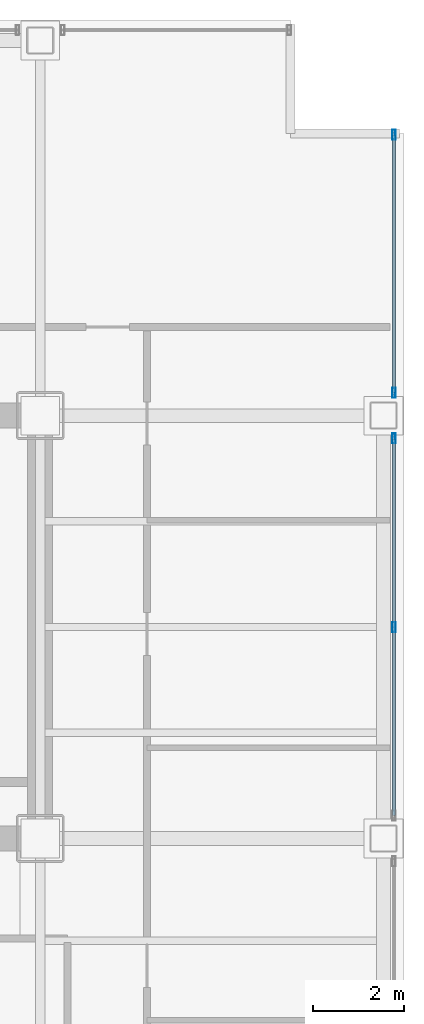
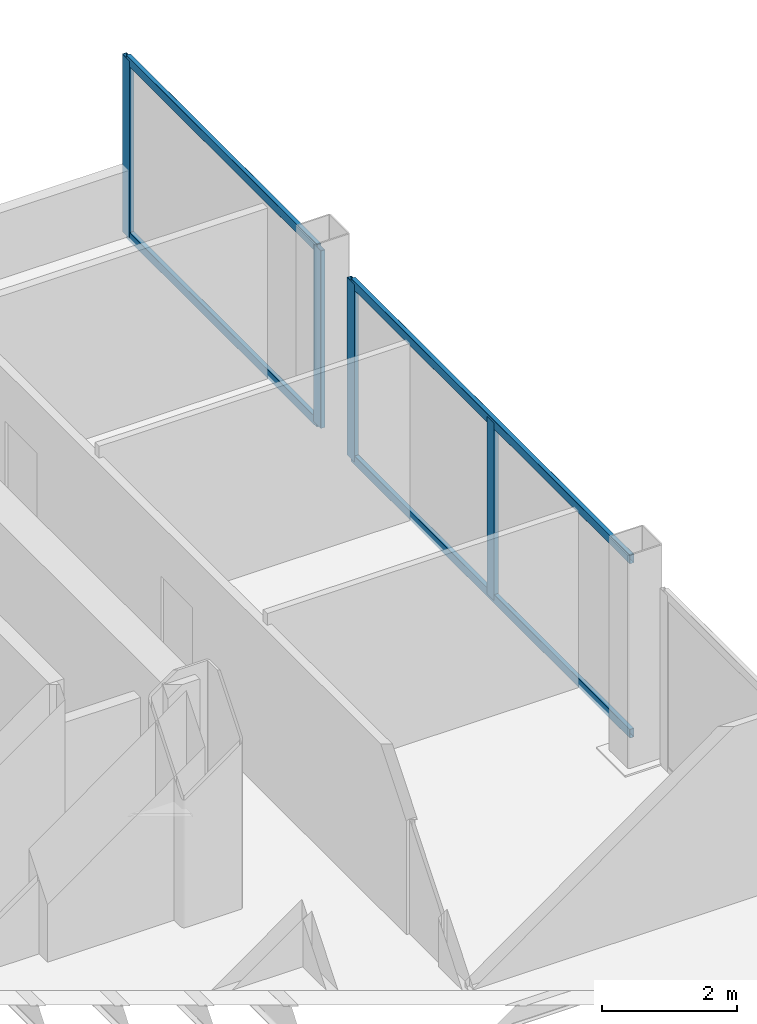
# One storey, part 13 of 21: 8 members, 2 elements without a shape of their own.
"""IFC4 building model written with IfcOpenShell, lengths in metres."""

from ifc_helpers import new_model, si_unit, direction, frame, origin, origin_2d, place, context, subcontext, project, spatial, hollow_rectangle, extrude, material, material_profile, profile_set, type_object, element, aggregate, save


model = new_model("IFC4")

# Units and contexts
model_context = context("Model", 3, precision=1e-05, world=origin(), true_north=direction((0.0, 1.0)))
body_context = subcontext(model_context, "Body", "Model", "MODEL_VIEW")
ifc_project = project(units=[si_unit("LENGTHUNIT", "METRE"), si_unit("AREAUNIT", "SQUARE_METRE"), si_unit("VOLUMEUNIT", "CUBIC_METRE"), si_unit("PLANEANGLEUNIT", "RADIAN"), si_unit("MASSUNIT", "GRAM", prefix="KILO")], contexts=[model_context])

# Site, building, storey
site_placement = place(None, origin())
site = spatial("IfcSite", under=ifc_project, at=site_placement, CompositionType="ELEMENT")
building_placement = place(site_placement, origin())
building = spatial("IfcBuilding", under=site, at=building_placement, Name="Noeulbin Bourse Tower", CompositionType="ELEMENT")
storey_placement = place(building_placement, frame((0.0, 0.0, 30.39990234375)))
storey = spatial("IfcBuildingStorey", under=building, at=storey_placement, Name="L07", CompositionType="ELEMENT", Elevation=30.39990234375)

# Curtain wall, members
ifc_material_1 = material(Name="Dark Solar-Control Double Glazing", Category="glass")
curtain_wall_type = type_object("IfcCurtainWallType", Name="CW-SYS-2", PredefinedType="NOTDEFINED", material=ifc_material_1)
curtain_wall_1_placement = place(storey_placement, origin())
curtain_wall_1 = element("IfcCurtainWall", 1, at=curtain_wall_1_placement, inside=storey, type_object=curtain_wall_type, Name="Unitised Curtain Wall CW-L07-E-S3", PredefinedType="NOTDEFINED")
ifc_material_2 = material(Name="Anodised Aluminium 6063-T6", Category="aluminium")
ifc_material_profile_1 = material_profile(ifc_material_2, hollow_rectangle(XDim=0.074951171875, YDim=0.219970703125, WallThickness=0.0048828125, InnerFilletRadius=0.00244140625, OuterFilletRadius=0.0048828125, at=origin_2d()), Name="ALU-MULL-75x220x5", Category="LoadBearing")
ifc_profile_set_1 = profile_set([ifc_material_profile_1], Name="Anodised Aluminium 6063-T6")
member_type_1 = type_object("IfcMemberType", Name="CW-SYS-2-MUL", PredefinedType="MULLION", material=ifc_profile_set_1)
member_1_placement = place(storey_placement, frame((51.780029296875, 33.64990234375, -0.02001953125), z_axis=(0.0, 0.0, 1.0), x_axis=(1.0, 0.0, 0.0)))
member_1 = element("IfcMember", 2, at=member_1_placement, type_object=member_type_1, Name="Curtain Wall Mullion CW-L07-E-S3-M01", PredefinedType="MULLION", context=body_context, shape_type="SweptSolid", body=[
    extrude(hollow_rectangle(XDim=0.074951171875, YDim=0.219970703125, WallThickness=0.0048828125, InnerFilletRadius=0.00244140625, OuterFilletRadius=0.0048828125, at=origin_2d()), origin(), (0.0, 0.0, 1.0), 3.22021484375),
])
member_2_placement = place(storey_placement, frame((51.780029296875, 37.800048828125, -0.02001953125), z_axis=(0.0, 0.0, 1.0), x_axis=(1.0, 0.0, 0.0)))
member_2 = element("IfcMember", 3, at=member_2_placement, type_object=member_type_1, Name="Curtain Wall Mullion CW-L07-E-S3-M02", PredefinedType="MULLION", context=body_context, shape_type="SweptSolid", body=[
    extrude(hollow_rectangle(XDim=0.074951171875, YDim=0.219970703125, WallThickness=0.0048828125, InnerFilletRadius=0.00244140625, OuterFilletRadius=0.0048828125, at=origin_2d()), origin(), (0.0, 0.0, 1.0), 3.22021484375),
])

curtain_wall_2_placement = place(storey_placement, origin())
curtain_wall_2 = element("IfcCurtainWall", 4, at=curtain_wall_2_placement, inside=storey, type_object=curtain_wall_type, Name="Unitised Curtain Wall CW-L07-E-S4", PredefinedType="NOTDEFINED")
member_3_placement = place(storey_placement, frame((51.780029296875, 38.800048828125, -0.02001953125), z_axis=(0.0, 0.0, 1.0), x_axis=(1.0, 0.0, 0.0)))
member_3 = element("IfcMember", 5, at=member_3_placement, type_object=member_type_1, Name="Curtain Wall Mullion CW-L07-E-S4-M00", PredefinedType="MULLION", context=body_context, shape_type="SweptSolid", body=[
    extrude(hollow_rectangle(XDim=0.074951171875, YDim=0.219970703125, WallThickness=0.0048828125, InnerFilletRadius=0.00244140625, OuterFilletRadius=0.0048828125, at=origin_2d()), origin(), (0.0, 0.0, 1.0), 3.22021484375),
])
member_4_placement = place(storey_placement, frame((51.780029296875, 44.47998046875, -0.02001953125), z_axis=(0.0, 0.0, 1.0), x_axis=(1.0, 0.0, 0.0)))
member_4 = element("IfcMember", 6, at=member_4_placement, type_object=member_type_1, Name="Curtain Wall Mullion CW-L07-E-S4-M01", PredefinedType="MULLION", context=body_context, shape_type="SweptSolid", body=[
    extrude(hollow_rectangle(XDim=0.074951171875, YDim=0.219970703125, WallThickness=0.0048828125, InnerFilletRadius=0.00244140625, OuterFilletRadius=0.0048828125, at=origin_2d()), origin(), (0.0, 0.0, 1.0), 3.22021484375),
])

# Member
ifc_material_profile_2 = material_profile(ifc_material_2, hollow_rectangle(XDim=0.074951171875, YDim=0.159912109375, WallThickness=0.0048828125, InnerFilletRadius=0.00244140625, OuterFilletRadius=0.0048828125, at=origin_2d()), Name="ALU-TRAN-75x160x5", Category="LoadBearing")
ifc_profile_set_2 = profile_set([ifc_material_profile_2], Name="Anodised Aluminium 6063-T6")
member_type_2 = type_object("IfcMemberType", Name="CW-SYS-2-TRN", PredefinedType="USERDEFINED", material=ifc_profile_set_2)
member_5_placement = place(storey_placement, frame((51.780029296875, 29.510009765625, 0.010009765625), z_axis=(0.0, 1.0, 0.0), x_axis=(-1.0, 0.0, 0.0)))
member_5 = element("IfcMember", 7, at=member_5_placement, type_object=member_type_2, Name="Curtain Wall Transom CW-L07-E-S3-T00", ObjectType="TRANSOM", PredefinedType="USERDEFINED", context=body_context, shape_type="SweptSolid", body=[
    extrude(hollow_rectangle(XDim=0.074951171875, YDim=0.159912109375, WallThickness=0.0048828125, InnerFilletRadius=0.00244140625, OuterFilletRadius=0.0048828125, at=origin_2d()), origin(), (0.0, 0.0, 1.0), 8.280029296875),
])

member_6_placement = place(storey_placement, frame((51.780029296875, 29.510009765625, 3.170166015625), z_axis=(0.0, 1.0, 0.0), x_axis=(-1.0, 0.0, 0.0)))
member_6 = element("IfcMember", 8, at=member_6_placement, type_object=member_type_2, Name="Curtain Wall Transom CW-L07-E-S3-T01", ObjectType="TRANSOM", PredefinedType="USERDEFINED", context=body_context, shape_type="SweptSolid", body=[
    extrude(hollow_rectangle(XDim=0.074951171875, YDim=0.159912109375, WallThickness=0.0048828125, InnerFilletRadius=0.00244140625, OuterFilletRadius=0.0048828125, at=origin_2d()), origin(), (0.0, 0.0, 1.0), 8.280029296875),
])

aggregate(curtain_wall_1, [member_1, member_2, member_5, member_6])

member_7_placement = place(storey_placement, frame((51.780029296875, 38.81005859375, 0.010009765625), z_axis=(0.0, 1.0, 0.0), x_axis=(-1.0, 0.0, 0.0)))
member_7 = element("IfcMember", 9, at=member_7_placement, type_object=member_type_2, Name="Curtain Wall Transom CW-L07-E-S4-T00", ObjectType="TRANSOM", PredefinedType="USERDEFINED", context=body_context, shape_type="SweptSolid", body=[
    extrude(hollow_rectangle(XDim=0.074951171875, YDim=0.159912109375, WallThickness=0.0048828125, InnerFilletRadius=0.00244140625, OuterFilletRadius=0.0048828125, at=origin_2d()), origin(), (0.0, 0.0, 1.0), 5.659912109375),
])

member_8_placement = place(storey_placement, frame((51.780029296875, 38.81005859375, 3.170166015625), z_axis=(0.0, 1.0, 0.0), x_axis=(-1.0, 0.0, 0.0)))
member_8 = element("IfcMember", 10, at=member_8_placement, type_object=member_type_2, Name="Curtain Wall Transom CW-L07-E-S4-T01", ObjectType="TRANSOM", PredefinedType="USERDEFINED", context=body_context, shape_type="SweptSolid", body=[
    extrude(hollow_rectangle(XDim=0.074951171875, YDim=0.159912109375, WallThickness=0.0048828125, InnerFilletRadius=0.00244140625, OuterFilletRadius=0.0048828125, at=origin_2d()), origin(), (0.0, 0.0, 1.0), 5.659912109375),
])

aggregate(curtain_wall_2, [member_3, member_4, member_7, member_8])

save(model, "model.ifc")
